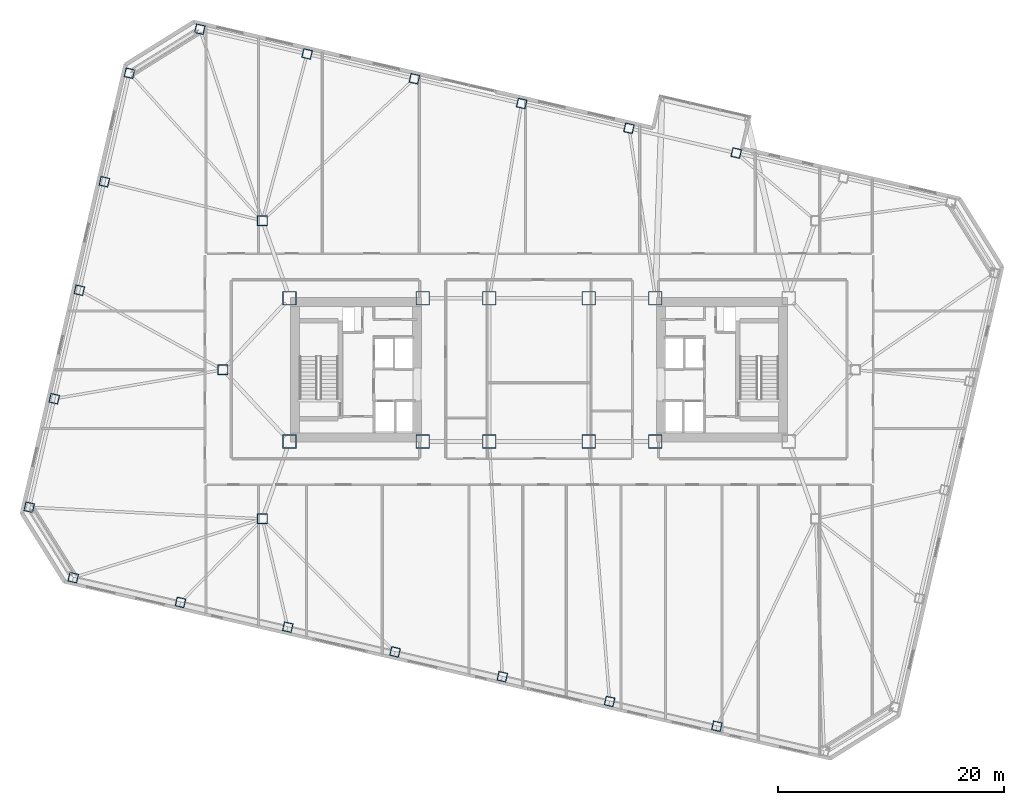
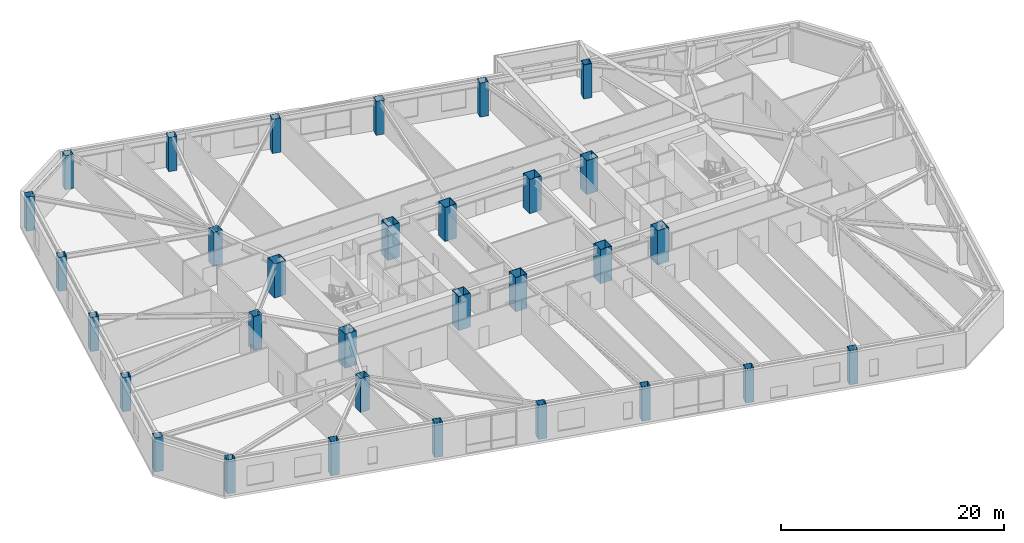
# One storey, part 1 of 23: 31 columns.
"""IFC4 building model written with IfcOpenShell, lengths in metres."""

from ifc_helpers import new_model, si_unit, direction, frame, origin, origin_2d, place, context, subcontext, project, spatial, hollow_rectangle, extrude, material, material_profile, profile_set, type_object, element, save


model = new_model("IFC4")

# Units and contexts
model_context = context("Model", 3, precision=1e-05, world=origin(), true_north=direction((0.0, 1.0)))
body_context = subcontext(model_context, "Body", "Model", "MODEL_VIEW")
ifc_project = project(units=[si_unit("LENGTHUNIT", "METRE"), si_unit("AREAUNIT", "SQUARE_METRE"), si_unit("VOLUMEUNIT", "CUBIC_METRE"), si_unit("PLANEANGLEUNIT", "RADIAN"), si_unit("MASSUNIT", "GRAM", prefix="KILO")], contexts=[model_context])

# Site, building, storey
site_placement = place(None, origin())
site = spatial("IfcSite", under=ifc_project, at=site_placement, CompositionType="ELEMENT")
building_placement = place(site_placement, origin())
building = spatial("IfcBuilding", under=site, at=building_placement, Name="Tavrogorsk Clinical Tower", CompositionType="ELEMENT")
storey_placement = place(building_placement, frame((0.0, 0.0, 63.39990234375)))
storey = spatial("IfcBuildingStorey", under=building, at=storey_placement, Name="L13", CompositionType="ELEMENT", Elevation=63.39990234375)

# Columns
ifc_material_1 = material(Name="Structural steel S440", Category="steel")
ifc_material_profile_1 = material_profile(ifc_material_1, hollow_rectangle(XDim=1.199951171875, YDim=1.199951171875, WallThickness=0.050048828125, at=origin_2d()), Name="BOX-1200x1200x50")
ifc_profile_set_1 = profile_set([ifc_material_profile_1], Name="Structural steel S440")
column_type_1 = type_object("IfcColumnType", Name="MegaCol_BOX1200", PredefinedType="COLUMN", material=ifc_profile_set_1)
for number, where, z_axis, x_axis, name in (
    (1, (-22.10009765625, -6.35009765625, 0.0), (0.0, 0.0, 1.0), (1.0, 0.0, 0.0), "L13 Mega Column MC-W1"),
    (2, (-22.10009765625, 6.35009765625, 0.0), (0.0, 0.0, 1.0), (1.0, 0.0, 0.0), "L13 Mega Column MC-W2"),
    (3, (-10.300048828125, -6.35009765625, 0.0), (0.0, 0.0, 1.0), (1.0, 0.0, 0.0), "L13 Mega Column MC-W3"),
    (4, (-10.300048828125, 6.35009765625, 0.0), (0.0, 0.0, 1.0), (1.0, 0.0, 0.0), "L13 Mega Column MC-W4"),
    (5, (10.300048828125, -6.35009765625, 0.0), (0.0, 0.0, 1.0), (1.0, 0.0, 0.0), "L13 Mega Column MC-E1"),
    (6, (10.300048828125, 6.35009765625, 0.0), (0.0, 0.0, 1.0), (1.0, 0.0, 0.0), "L13 Mega Column MC-E2"),
    (7, (-4.39990234375, -6.35009765625, 0.0), (0.0, 0.0, 1.0), (1.0, 0.0, 0.0), "L13 Mega Column MC-C1"),
    (8, (4.39990234375, -6.35009765625, 0.0), (0.0, 0.0, 1.0), (1.0, 0.0, 0.0), "L13 Mega Column MC-C2"),
    (9, (-4.39990234375, 6.35009765625, 0.0), (0.0, 0.0, 1.0), (1.0, 0.0, 0.0), "L13 Mega Column MC-C3"),
    (10, (4.39990234375, 6.35009765625, 0.0), (0.0, 0.0, 1.0), (1.0, 0.0, 0.0), "L13 Mega Column MC-C4"),
):
    element("IfcColumn", number, at=place(storey_placement, frame(where, z_axis=z_axis, x_axis=x_axis)), inside=storey, type_object=column_type_1, Name=name, PredefinedType="COLUMN", context=body_context, shape_type="SweptSolid", body=[
        extrude(hollow_rectangle(XDim=1.199951171875, YDim=1.199951171875, WallThickness=0.050048828125, at=origin_2d()), origin(), (0.0, 0.0, 1.0), 3.739990234375),
    ])
ifc_material_2 = material(Name="Structural steel S440", Category="steel")
ifc_material_profile_2 = material_profile(ifc_material_2, hollow_rectangle(XDim=0.89990234375, YDim=0.89990234375, WallThickness=0.0400390625, at=origin_2d()), Name="BOX-900x900x40")
ifc_profile_set_2 = profile_set([ifc_material_profile_2], Name="Structural steel S440")
column_type_2 = type_object("IfcColumnType", Name="MegaCol_BOX900", PredefinedType="COLUMN", material=ifc_profile_set_2)
for number, where, z_axis, x_axis, name in (
    (11, (-24.5, -13.199951171875, 0.0), (0.0, 0.0, 1.0), (1.0, 0.0, 0.0), "L13 Spine Pilotis Column MC-P1"),
    (12, (-24.5, 13.199951171875, 0.0), (0.0, 0.0, 1.0), (1.0, 0.0, 0.0), "L13 Spine Pilotis Column MC-P3"),
    (13, (-28.0, 0.0, 0.0), (0.0, 0.0, 1.0), (1.0, 0.0, 0.0), "L13 Spine Pilotis Column MC-P5"),
):
    element("IfcColumn", number, at=place(storey_placement, frame(where, z_axis=z_axis, x_axis=x_axis)), inside=storey, type_object=column_type_2, Name=name, PredefinedType="COLUMN", context=body_context, shape_type="SweptSolid", body=[
        extrude(hollow_rectangle(XDim=0.89990234375, YDim=0.89990234375, WallThickness=0.0400390625, at=origin_2d()), origin(), (0.0, 0.0, 1.0), 3.739990234375),
    ])
ifc_material_3 = material(Name="Structural steel S440", Category="steel")
ifc_material_profile_3 = material_profile(ifc_material_3, hollow_rectangle(XDim=0.800048828125, YDim=0.800048828125, WallThickness=0.035888671875, at=origin_2d()), Name="BOX-800x800x36")
ifc_profile_set_3 = profile_set([ifc_material_profile_3], Name="Structural steel S440")
column_type_3 = type_object("IfcColumnType", Name="PerimCol_B1_BOX800", PredefinedType="COLUMN", material=ifc_profile_set_3)
for number, where, z_axis, x_axis, name in (
    (14, (-41.251220703125, -18.406005859375, 0.0), (0.0, 0.0, 1.0), (0.974370064785, -0.224951054344, 0.0), "L13 Perimeter Column S1"),
    (15, (-31.75244140625, -20.598876953125, 0.0), (0.0, 0.0, 1.0), (0.974370064785, -0.224951054344, 0.0), "L13 Perimeter Column S2"),
    (16, (-22.25390625, -22.7919921875, 0.0), (0.0, 0.0, 1.0), (0.974370064785, -0.224951054344, 0.0), "L13 Perimeter Column S3"),
    (17, (-12.755126953125, -24.98486328125, 0.0), (0.0, 0.0, 1.0), (0.974370064785, -0.224951054344, 0.0), "L13 Perimeter Column S4"),
    (18, (-3.25634765625, -27.177734375, 0.0), (0.0, 0.0, 1.0), (0.974370064785, -0.224951054344, 0.0), "L13 Perimeter Column S5"),
    (19, (6.2421875, -29.37060546875, 0.0), (0.0, 0.0, 1.0), (0.974370064785, -0.224951054344, 0.0), "L13 Perimeter Column S6"),
    (20, (15.740966796875, -31.563720703125, 0.0), (0.0, 0.0, 1.0), (0.974370064785, -0.224951054344, 0.0), "L13 Perimeter Column S7"),
    (21, (17.453857421875, 19.19189453125, 0.0), (0.0, 0.0, 1.0), (0.974370064785, -0.224951054344, 0.0), "L13 Perimeter Column N3"),
    (22, (7.955078125, 21.384765625, 0.0), (0.0, 0.0, 1.0), (0.974370064785, -0.224951054344, 0.0), "L13 Perimeter Column N4"),
    (23, (-1.543701171875, 23.577880859375, 0.0), (0.0, 0.0, 1.0), (0.974370064785, -0.224951054344, 0.0), "L13 Perimeter Column N5"),
    (24, (-11.042236328125, 25.770751953125, 0.0), (0.0, 0.0, 1.0), (0.974370064785, -0.224951054344, 0.0), "L13 Perimeter Column N6"),
    (25, (-20.541015625, 27.963623046875, 0.0), (0.0, 0.0, 1.0), (0.974370064785, -0.224951054344, 0.0), "L13 Perimeter Column N7"),
    (26, (-30.039794921875, 30.156494140625, 0.0), (0.0, 0.0, 1.0), (0.974370064785, -0.224951054344, 0.0), "L13 Perimeter Column N8"),
    (27, (-36.276123046875, 26.259765625, 0.0), (0.0, 0.0, 1.0), (0.974370064785, -0.224951054344, 0.0), "L13 Perimeter Column W1"),
    (28, (-38.494140625, 16.65234375, 0.0), (0.0, 0.0, 1.0), (0.974370064785, -0.224951054344, 0.0), "L13 Perimeter Column W2"),
    (29, (-40.712158203125, 7.045166015625, 0.0), (0.0, 0.0, 1.0), (0.974370064785, -0.224951054344, 0.0), "L13 Perimeter Column W3"),
    (30, (-42.93017578125, -2.562255859375, 0.0), (0.0, 0.0, 1.0), (0.974370064785, -0.224951054344, 0.0), "L13 Perimeter Column W4"),
    (31, (-45.148193359375, -12.16943359375, 0.0), (0.0, 0.0, 1.0), (0.974370064785, -0.224951054344, 0.0), "L13 Perimeter Column W5"),
):
    element("IfcColumn", number, at=place(storey_placement, frame(where, z_axis=z_axis, x_axis=x_axis)), inside=storey, type_object=column_type_3, Name=name, PredefinedType="COLUMN", context=body_context, shape_type="SweptSolid", body=[
        extrude(hollow_rectangle(XDim=0.800048828125, YDim=0.800048828125, WallThickness=0.035888671875, at=origin_2d()), origin(), (0.0, 0.0, 1.0), 3.739990234375),
    ])

save(model, "model.ifc")
